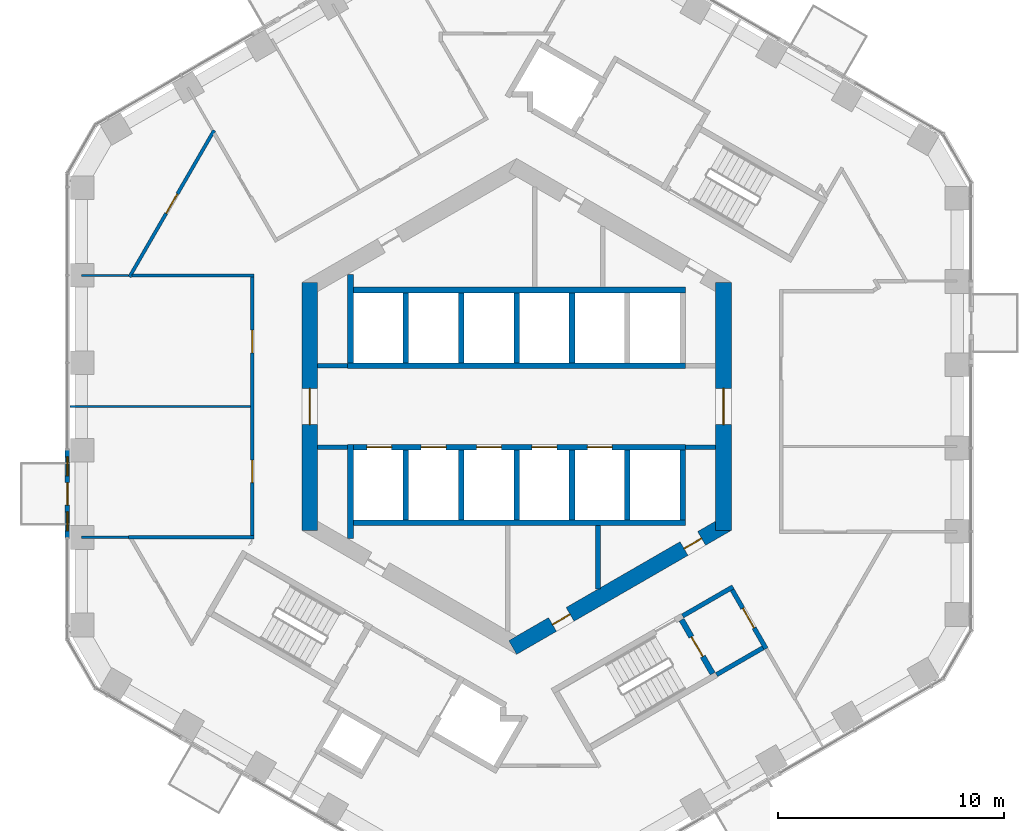
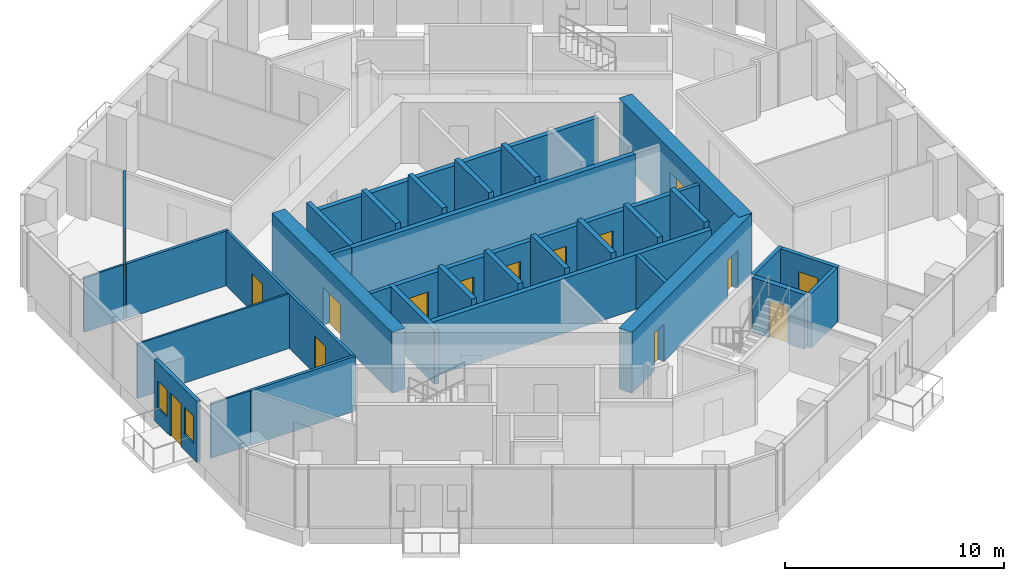
# One storey, part 14 of 20: 35 walls, 15 doors, 2 windows, 17 openings.
"""IFC4 building model written with IfcOpenShell, lengths in metres."""

from ifc_helpers import new_model, si_unit, direction, frame, frame_2d, origin, place, context, subcontext, project, spatial, rectangle, extrude, material, layer, layer_set, type_object, element, fill, save


model = new_model("IFC4")

# Units and contexts
model_context = context("Model", 3, precision=1e-05, world=origin(), true_north=direction((0.0, 1.0)))
body_context = subcontext(model_context, "Body", "Model", "MODEL_VIEW")
ifc_project = project(units=[si_unit("LENGTHUNIT", "METRE"), si_unit("AREAUNIT", "SQUARE_METRE"), si_unit("VOLUMEUNIT", "CUBIC_METRE"), si_unit("PLANEANGLEUNIT", "RADIAN"), si_unit("MASSUNIT", "GRAM", prefix="KILO")], contexts=[model_context])

# Site, building, storey
site_placement = place(None, origin())
site = spatial("IfcSite", under=ifc_project, at=site_placement, CompositionType="ELEMENT")
building_placement = place(site_placement, origin())
building = spatial("IfcBuilding", under=site, at=building_placement, Name="Ayvan Gate Tower", CompositionType="ELEMENT")
storey_placement = place(building_placement, frame((0.0, 0.0, 96.699951171875)))
storey = spatial("IfcBuildingStorey", under=building, at=storey_placement, Name="L25", CompositionType="ELEMENT", Elevation=96.699951171875)

# Wall, openings, door, windows
ifc_material_1 = material(Name="Insulated metal panel wall")
ifc_layer_1 = layer(ifc_material_1, 0.199951171875)
ifc_layer_set_1 = layer_set([ifc_layer_1], Name="Insulated metal panel wall")
wall_type_1 = type_object("IfcWallType", Name="Balcony door wall 200", PredefinedType="SOLIDWALL", material=ifc_layer_set_1)
wall_1_placement = place(storey_placement, frame((-19.873291015625, -1.934814453125, 0.0), z_axis=(0.0, 0.0, 1.0), x_axis=(0.0, -1.0, 0.0)))
wall_1 = element("IfcWall", 1, at=wall_1_placement, inside=storey, type_object=wall_type_1, Name="EW:L25:3:3", PredefinedType="SOLIDWALL", context=body_context, shape_type="SweptSolid", body=[
    extrude(rectangle(XDim=3.868896484375, YDim=0.199951171875, at=frame_2d((1.9345703125, 0.0))), origin(), (0.0, 0.0, 1.0), 3.400146484375),
])
opening_1_placement = place(wall_1_placement, frame((1.4345703125, 0.0, 0.0)))
opening_1 = element("IfcOpeningElement", 2, at=opening_1_placement, cuts=wall_1, Name="Opening L25-D93", PredefinedType="OPENING", context=body_context, shape_type="SweptSolid", body=[
    extrude(rectangle(XDim=1.0, YDim=2.39990234375, at=frame_2d((0.5, 1.199951171875))), frame((0.0, 0.10986328125, 0.0), z_axis=(0.0, -1.0, 0.0), x_axis=(1.0, 0.0, 0.0)), (0.0, 0.0, 1.0), 0.219970703125),
])
opening_2_placement = place(wall_1_placement, frame((0.292236328125, 0.0, 0.89990234375)))
opening_2 = element("IfcOpeningElement", 3, at=opening_2_placement, cuts=wall_1, Name="Opening W-B2", PredefinedType="OPENING", context=body_context, shape_type="SweptSolid", body=[
    extrude(rectangle(XDim=0.85009765625, YDim=1.5, at=frame_2d((0.425048828125, 0.75))), frame((0.0, 0.10986328125, 0.0), z_axis=(0.0, -1.0, 0.0), x_axis=(1.0, 0.0, 0.0)), (0.0, 0.0, 1.0), 0.219970703125),
])
opening_3_placement = place(wall_1_placement, frame((2.726806640625, 0.0, 0.89990234375)))
opening_3 = element("IfcOpeningElement", 4, at=opening_3_placement, cuts=wall_1, Name="Opening W-B2", PredefinedType="OPENING", context=body_context, shape_type="SweptSolid", body=[
    extrude(rectangle(XDim=0.85009765625, YDim=1.5, at=frame_2d((0.425048828125, 0.75))), frame((0.0, 0.10986328125, 0.0), z_axis=(0.0, -1.0, 0.0), x_axis=(1.0, 0.0, 0.0)), (0.0, 0.0, 1.0), 0.219970703125),
])
ifc_material_2 = material(Name="Bronze anodised aluminium and clear glass", Category="aluminium")
door_type_1 = type_object("IfcDoorType", Name="Balcony door D-B", OperationType="SINGLE_SWING_RIGHT", PredefinedType="DOOR", material=ifc_material_2)
door_1_placement = place(opening_1_placement, origin())
door_1 = element("IfcDoor", 5, at=door_1_placement, inside=storey, type_object=door_type_1, Name="Balcony door BAL-L25-3", OperationType="SINGLE_SWING_RIGHT", OverallHeight=2.39990234375, OverallWidth=1.0, PredefinedType="DOOR", context=body_context, shape_type="SweptSolid", body=[
    extrude(rectangle(XDim=1.0, YDim=2.39990234375, at=frame_2d((0.5, 1.199951171875))), frame((0.0, 0.02490234375, 0.0), z_axis=(0.0, -1.0, 0.0), x_axis=(1.0, 0.0, 0.0)), (0.0, 0.0, 1.0), 0.050048828125),
])
fill(opening_1, door_1)
window_type = type_object("IfcWindowType", Name="Balcony side light W-B Z2", PartitioningType="SINGLE_PANEL", PredefinedType="WINDOW", material=ifc_material_2)
window_1_placement = place(opening_2_placement, origin())
window_1 = element("IfcWindow", 6, at=window_1_placement, inside=storey, type_object=window_type, Name="Balcony side light BAL-L25-3.1", OverallHeight=1.5, OverallWidth=0.85009765625, PartitioningType="SINGLE_PANEL", PredefinedType="WINDOW", context=body_context, shape_type="SweptSolid", body=[
    extrude(rectangle(XDim=0.85009765625, YDim=1.5, at=frame_2d((0.425048828125, 0.75))), frame((0.0, 0.030029296875, 0.0), z_axis=(0.0, -1.0, 0.0), x_axis=(1.0, 0.0, 0.0)), (0.0, 0.0, 1.0), 0.06005859375),
])
fill(opening_2, window_1)
window_2_placement = place(opening_3_placement, origin())
window_2 = element("IfcWindow", 7, at=window_2_placement, inside=storey, type_object=window_type, Name="Balcony side light BAL-L25-3.2", OverallHeight=1.5, OverallWidth=0.85009765625, PartitioningType="SINGLE_PANEL", PredefinedType="WINDOW", context=body_context, shape_type="SweptSolid", body=[
    extrude(rectangle(XDim=0.85009765625, YDim=1.5, at=frame_2d((0.425048828125, 0.75))), frame((0.0, 0.030029296875, 0.0), z_axis=(0.0, -1.0, 0.0), x_axis=(1.0, 0.0, 0.0)), (0.0, 0.0, 1.0), 0.06005859375),
])
fill(opening_3, window_2)

# Wall, opening, door
ifc_material_3 = material(Name="Concrete C70/85", Category="concrete")
ifc_layer_2 = layer(ifc_material_3, 0.699951171875)
ifc_layer_set_2 = layer_set([ifc_layer_2], Name="Concrete C70/85")
wall_type_2 = type_object("IfcWallType", Name="Core wall 700 C70/85", PredefinedType="SHEAR", material=ifc_layer_set_2)
wall_2_placement = place(storey_placement, frame((9.14990234375, -5.48486328125, 0.0), z_axis=(0.0, 0.0, 1.0), x_axis=(0.0, 1.0, 0.0)))
wall_2 = element("IfcWall", 8, at=wall_2_placement, inside=storey, type_object=wall_type_2, Name="CORE-L25-0", PredefinedType="SHEAR", context=body_context, shape_type="SweptSolid", body=[
    extrude(rectangle(XDim=10.9697265625, YDim=0.699951171875, at=frame_2d((5.48486328125, 0.0))), origin(), (0.0, 0.0, 1.0), 3.400146484375),
])
opening_4_placement = place(wall_2_placement, frame((4.684814453125, 0.0, 0.0)))
opening_4 = element("IfcOpeningElement", 9, at=opening_4_placement, cuts=wall_2, Name="Opening L25-D102", PredefinedType="OPENING", context=body_context, shape_type="SweptSolid", body=[
    extrude(rectangle(XDim=1.60009765625, YDim=2.10009765625, at=frame_2d((0.800048828125, 1.050048828125))), frame((0.0, 0.35986328125, 0.0), z_axis=(0.0, -1.0, 0.0), x_axis=(1.0, 0.0, 0.0)), (0.0, 0.0, 1.0), 0.719970703125),
])
ifc_material_4 = material(Name="Timber door leaf", Category="wood")
door_type_2 = type_object("IfcDoorType", Name="DT-1600", OperationType="NOTDEFINED", PredefinedType="DOOR", material=ifc_material_4)
door_2_placement = place(opening_4_placement, origin())
door_2 = element("IfcDoor", 10, at=door_2_placement, inside=storey, type_object=door_type_2, Name="CD-L25-102", OperationType="SINGLE_SWING_LEFT", OverallHeight=2.10009765625, OverallWidth=1.60009765625, PredefinedType="DOOR", context=body_context, shape_type="SweptSolid", body=[
    extrude(rectangle(XDim=1.60009765625, YDim=2.10009765625, at=frame_2d((0.800048828125, 1.050048828125))), frame((0.0, 0.02490234375, 0.0), z_axis=(0.0, -1.0, 0.0), x_axis=(1.0, 0.0, 0.0)), (0.0, 0.0, 1.0), 0.050048828125),
])
fill(opening_4, door_2)

wall_3_placement = place(storey_placement, frame((-9.14990234375, 5.48486328125, 0.0), z_axis=(0.0, 0.0, 1.0), x_axis=(0.0, -1.0, 0.0)))
wall_3 = element("IfcWall", 11, at=wall_3_placement, inside=storey, type_object=wall_type_2, Name="CORE-L25-3", PredefinedType="SHEAR", context=body_context, shape_type="SweptSolid", body=[
    extrude(rectangle(XDim=10.9697265625, YDim=0.699951171875, at=frame_2d((5.48486328125, 0.0))), origin(), (0.0, 0.0, 1.0), 3.400146484375),
])
opening_5_placement = place(wall_3_placement, frame((4.684814453125, 0.0, 0.0)))
opening_5 = element("IfcOpeningElement", 12, at=opening_5_placement, cuts=wall_3, Name="Opening L25-D103", PredefinedType="OPENING", context=body_context, shape_type="SweptSolid", body=[
    extrude(rectangle(XDim=1.60009765625, YDim=2.10009765625, at=frame_2d((0.800048828125, 1.050048828125))), frame((0.0, 0.35986328125, 0.0), z_axis=(0.0, -1.0, 0.0), x_axis=(1.0, 0.0, 0.0)), (0.0, 0.0, 1.0), 0.719970703125),
])
door_3_placement = place(opening_5_placement, origin())
door_3 = element("IfcDoor", 13, at=door_3_placement, inside=storey, type_object=door_type_2, Name="CD-L25-103", OperationType="SINGLE_SWING_RIGHT", OverallHeight=2.10009765625, OverallWidth=1.60009765625, PredefinedType="DOOR", context=body_context, shape_type="SweptSolid", body=[
    extrude(rectangle(XDim=1.60009765625, YDim=2.10009765625, at=frame_2d((0.800048828125, 1.050048828125))), frame((0.0, 0.02490234375, 0.0), z_axis=(0.0, -1.0, 0.0), x_axis=(1.0, 0.0, 0.0)), (0.0, 0.0, 1.0), 0.050048828125),
])
fill(opening_5, door_3)

# Wall, openings, doors
wall_4_placement = place(storey_placement, frame((-0.175048828125, -10.66650390625, 0.0), z_axis=(0.0, 0.0, 1.0), x_axis=(0.866023993627, 0.500002442456, 0.0)))
wall_4 = element("IfcWall", 14, at=wall_4_placement, inside=storey, type_object=wall_type_2, Name="CORE-L25-5", PredefinedType="SHEAR", context=body_context, shape_type="SweptSolid", body=[
    extrude(rectangle(XDim=10.9697265625, YDim=0.699951171875, at=frame_2d((5.48486328125, 0.0))), origin(), (0.0, 0.0, 1.0), 3.400146484375),
])
opening_6_placement = place(wall_4_placement, frame((2.033203125, 0.0, 0.0)))
opening_6 = element("IfcOpeningElement", 15, at=opening_6_placement, cuts=wall_4, Name="Opening L25-D100", PredefinedType="OPENING", context=body_context, shape_type="SweptSolid", body=[
    extrude(rectangle(XDim=0.89990234375, YDim=2.10009765625, at=frame_2d((0.449951171875, 1.050048828125))), frame((0.0, 0.35986328125, 0.0), z_axis=(0.0, -1.0, 0.0), x_axis=(1.0, 0.0, 0.0)), (0.0, 0.0, 1.0), 0.719970703125),
])
opening_7_placement = place(wall_4_placement, frame((8.753662109375, 0.0, 0.0)))
opening_7 = element("IfcOpeningElement", 16, at=opening_7_placement, cuts=wall_4, Name="Opening L25-D101", PredefinedType="OPENING", context=body_context, shape_type="SweptSolid", body=[
    extrude(rectangle(XDim=0.89990234375, YDim=2.10009765625, at=frame_2d((0.449951171875, 1.050048828125))), frame((0.0, 0.35986328125, 0.0), z_axis=(0.0, -1.0, 0.0), x_axis=(1.0, 0.0, 0.0)), (0.0, 0.0, 1.0), 0.719970703125),
])
door_type_3 = type_object("IfcDoorType", Name="DT-900", OperationType="NOTDEFINED", PredefinedType="DOOR", material=ifc_material_4)
door_4_placement = place(opening_6_placement, origin())
door_4 = element("IfcDoor", 17, at=door_4_placement, inside=storey, type_object=door_type_3, Name="CD-L25-100", OperationType="SINGLE_SWING_LEFT", OverallHeight=2.10009765625, OverallWidth=0.89990234375, PredefinedType="DOOR", context=body_context, shape_type="SweptSolid", body=[
    extrude(rectangle(XDim=0.89990234375, YDim=2.10009765625, at=frame_2d((0.449951171875, 1.050048828125))), frame((0.0, 0.02490234375, 0.0), z_axis=(0.0, -1.0, 0.0), x_axis=(1.0, 0.0, 0.0)), (0.0, 0.0, 1.0), 0.050048828125),
])
fill(opening_6, door_4)
door_5_placement = place(opening_7_placement, origin())
door_5 = element("IfcDoor", 18, at=door_5_placement, inside=storey, type_object=door_type_3, Name="CD-L25-101", OperationType="SINGLE_SWING_RIGHT", OverallHeight=2.10009765625, OverallWidth=0.89990234375, PredefinedType="DOOR", context=body_context, shape_type="SweptSolid", body=[
    extrude(rectangle(XDim=0.89990234375, YDim=2.10009765625, at=frame_2d((0.449951171875, 1.050048828125))), frame((0.0, 0.02490234375, 0.0), z_axis=(0.0, -1.0, 0.0), x_axis=(1.0, 0.0, 0.0)), (0.0, 0.0, 1.0), 0.050048828125),
])
fill(opening_7, door_5)

# Wall
ifc_material_5 = material(Name="Plasterboard on steel stud", Category="steel")
ifc_layer_3 = layer(ifc_material_5, 0.14990234375)
ifc_layer_set_3 = layer_set([ifc_layer_3], Name="Plasterboard on steel stud")
wall_type_3 = type_object("IfcWallType", Name="WT-CORR-150", PredefinedType="PARTITIONING", material=ifc_layer_set_3)
wall_5_placement = place(storey_placement, frame((-17.167236328125, -5.79296875, 0.0), z_axis=(0.0, 0.0, 1.0), x_axis=(1.0, 0.0, 0.0)))
element("IfcWall", 19, at=wall_5_placement, inside=storey, type_object=wall_type_3, Name="IW-L25-001", PredefinedType="PARTITIONING", context=body_context, shape_type="SweptSolid", body=[
    extrude(rectangle(XDim=5.542236328125, YDim=0.14990234375, at=frame_2d((2.77099609375, 0.0))), origin(), (0.0, 0.0, 1.0), 3.050048828125),
])

# Wall, opening, door
wall_6_placement = place(storey_placement, frame((-17.1298828125, 5.72802734375, 0.0), z_axis=(0.0, 0.0, 1.0), x_axis=(0.500011056795, 0.866019020047, 0.0)))
wall_6 = element("IfcWall", 20, at=wall_6_placement, inside=storey, type_object=wall_type_3, Name="IW-L25-003", PredefinedType="PARTITIONING", context=body_context, shape_type="SweptSolid", body=[
    extrude(rectangle(XDim=7.493408203125, YDim=0.14990234375, at=frame_2d((3.74658203125, 0.0))), origin(), (0.0, 0.0, 1.0), 3.050048828125),
])
opening_8_placement = place(wall_6_placement, frame((3.24658203125, 0.0, 0.0)))
opening_8 = element("IfcOpeningElement", 21, at=opening_8_placement, cuts=wall_6, Name="Opening L25-D22", PredefinedType="OPENING", context=body_context, shape_type="SweptSolid", body=[
    extrude(rectangle(XDim=1.0, YDim=2.10009765625, at=frame_2d((0.5, 1.050048828125))), frame((0.0, 0.0849609375, 0.0), z_axis=(0.0, -1.0, 0.0), x_axis=(1.0, 0.0, 0.0)), (0.0, 0.0, 1.0), 0.169921875),
])
door_type_4 = type_object("IfcDoorType", Name="DT-1000", OperationType="NOTDEFINED", PredefinedType="DOOR", material=ifc_material_4)
door_6_placement = place(opening_8_placement, origin())
door_6 = element("IfcDoor", 22, at=door_6_placement, inside=storey, type_object=door_type_4, Name="ID-L25-022", OperationType="SINGLE_SWING_LEFT", OverallHeight=2.10009765625, OverallWidth=1.0, PredefinedType="DOOR", context=body_context, shape_type="SweptSolid", body=[
    extrude(rectangle(XDim=1.0, YDim=2.10009765625, at=frame_2d((0.5, 1.050048828125))), frame((0.0, 0.02490234375, 0.0), z_axis=(0.0, -1.0, 0.0), x_axis=(1.0, 0.0, 0.0)), (0.0, 0.0, 1.0), 0.050048828125),
])
fill(opening_8, door_6)

# Wall
wall_7_placement = place(storey_placement, frame((-11.625, 5.79296875, 0.0), z_axis=(0.0, 0.0, 1.0), x_axis=(-1.0, 0.0, 0.0)))
element("IfcWall", 23, at=wall_7_placement, inside=storey, type_object=wall_type_3, Name="IW-L25-011", PredefinedType="PARTITIONING", context=body_context, shape_type="SweptSolid", body=[
    extrude(rectangle(XDim=5.392333984375, YDim=0.14990234375, at=frame_2d((2.6962890625, 0.0))), origin(), (0.0, 0.0, 1.0), 3.050048828125),
])

# Wall, openings, doors
wall_8_placement = place(storey_placement, frame((-11.699951171875, -5.718017578125, 0.0), z_axis=(0.0, 0.0, 1.0), x_axis=(0.0, 1.0, 0.0)))
wall_8 = element("IfcWall", 24, at=wall_8_placement, inside=storey, type_object=wall_type_3, Name="IW-L25-012", PredefinedType="PARTITIONING", context=body_context, shape_type="SweptSolid", body=[
    extrude(rectangle(XDim=11.43603515625, YDim=0.14990234375, at=frame_2d((5.718017578125, 0.0))), origin(), (0.0, 0.0, 1.0), 3.050048828125),
])
opening_9_placement = place(wall_8_placement, frame((8.092041015625, 0.0, 0.0)))
opening_9 = element("IfcOpeningElement", 25, at=opening_9_placement, cuts=wall_8, Name="Opening L25-D23", PredefinedType="OPENING", context=body_context, shape_type="SweptSolid", body=[
    extrude(rectangle(XDim=1.0, YDim=2.10009765625, at=frame_2d((0.5, 1.050048828125))), frame((0.0, 0.0849609375, 0.0), z_axis=(0.0, -1.0, 0.0), x_axis=(1.0, 0.0, 0.0)), (0.0, 0.0, 1.0), 0.169921875),
])
opening_10_placement = place(wall_8_placement, frame((2.343994140625, 0.0, 0.0)))
opening_10 = element("IfcOpeningElement", 26, at=opening_10_placement, cuts=wall_8, Name="Opening L25-D24", PredefinedType="OPENING", context=body_context, shape_type="SweptSolid", body=[
    extrude(rectangle(XDim=1.0, YDim=2.10009765625, at=frame_2d((0.5, 1.050048828125))), frame((0.0, 0.0849609375, 0.0), z_axis=(0.0, -1.0, 0.0), x_axis=(1.0, 0.0, 0.0)), (0.0, 0.0, 1.0), 0.169921875),
])
door_7_placement = place(opening_9_placement, origin())
door_7 = element("IfcDoor", 27, at=door_7_placement, inside=storey, type_object=door_type_4, Name="ID-L25-023", OperationType="SINGLE_SWING_RIGHT", OverallHeight=2.10009765625, OverallWidth=1.0, PredefinedType="DOOR", context=body_context, shape_type="SweptSolid", body=[
    extrude(rectangle(XDim=1.0, YDim=2.10009765625, at=frame_2d((0.5, 1.050048828125))), frame((0.0, 0.02490234375, 0.0), z_axis=(0.0, -1.0, 0.0), x_axis=(1.0, 0.0, 0.0)), (0.0, 0.0, 1.0), 0.050048828125),
])
fill(opening_9, door_7)
door_8_placement = place(opening_10_placement, origin())
door_8 = element("IfcDoor", 28, at=door_8_placement, inside=storey, type_object=door_type_4, Name="ID-L25-024", OperationType="SINGLE_SWING_LEFT", OverallHeight=2.10009765625, OverallWidth=1.0, PredefinedType="DOOR", context=body_context, shape_type="SweptSolid", body=[
    extrude(rectangle(XDim=1.0, YDim=2.10009765625, at=frame_2d((0.5, 1.050048828125))), frame((0.0, 0.02490234375, 0.0), z_axis=(0.0, -1.0, 0.0), x_axis=(1.0, 0.0, 0.0)), (0.0, 0.0, 1.0), 0.050048828125),
])
fill(opening_10, door_8)

# Walls
ifc_layer_4 = layer(ifc_material_5, 0.10009765625)
ifc_layer_set_4 = layer_set([ifc_layer_4], Name="Plasterboard on steel stud")
wall_type_4 = type_object("IfcWallType", Name="WT-PART-100", PredefinedType="PARTITIONING", material=ifc_layer_set_4)
for number, where, z_axis, x_axis, name in (
    (29, (-17.167236328125, -5.79296875, 0.0), (0.0, 0.0, 1.0), (-1.0, 0.0, 0.0), "IW-L25-000"),
    (30, (-17.167236328125, 5.79296875, 0.0), (0.0, 0.0, 1.0), (-1.0, 0.0, 0.0), "IW-L25-002"),
):
    element("IfcWall", number, at=place(storey_placement, frame(where, z_axis=z_axis, x_axis=x_axis)), inside=storey, type_object=wall_type_4, Name=name, PredefinedType="PARTITIONING", context=body_context, shape_type="SweptSolid", body=[
        extrude(rectangle(XDim=2.0810546875, YDim=0.10009765625, at=frame_2d((1.04052734375, 0.0))), origin(), (0.0, 0.0, 1.0), 3.050048828125),
    ])
wall_9_placement = place(storey_placement, frame((-11.77490234375, 0.0, 0.0), z_axis=(0.0, 0.0, 1.0), x_axis=(-1.0, 0.0, 0.0)))
element("IfcWall", 31, at=wall_9_placement, inside=storey, type_object=wall_type_4, Name="IW-L25-010", PredefinedType="PARTITIONING", context=body_context, shape_type="SweptSolid", body=[
    extrude(rectangle(XDim=7.994384765625, YDim=0.10009765625, at=frame_2d((3.9970703125, 0.0))), origin(), (0.0, 0.0, 1.0), 3.050048828125),
])
ifc_layer_5 = layer(ifc_material_5, 0.199951171875)
ifc_layer_set_5 = layer_set([ifc_layer_5], Name="Plasterboard on steel stud")
wall_type_5 = type_object("IfcWallType", Name="WT-RATED-200", PredefinedType="PARTITIONING", material=ifc_layer_set_5)
for number, where, z_axis, x_axis, name in (
    (32, (-8.800048828125, 1.800048828125, 0.0), (0.0, 0.0, 1.0), (1.0, 0.0, 0.0), "IW-L25-015"),
    (33, (-7.474853515625, -1.800048828125, 0.0), (0.0, 0.0, 1.0), (-1.0, 0.0, 0.0), "IW-L25-024"),
):
    element("IfcWall", number, at=place(storey_placement, frame(where, z_axis=z_axis, x_axis=x_axis)), inside=storey, type_object=wall_type_5, Name=name, PredefinedType="PARTITIONING", context=body_context, shape_type="SweptSolid", body=[
        extrude(rectangle(XDim=1.3251953125, YDim=0.199951171875, at=frame_2d((0.66259765625, 0.0))), origin(), (0.0, 0.0, 1.0), 3.050048828125),
    ])
wall_10_placement = place(storey_placement, frame((3.60009765625, -5.27490234375, 0.0), z_axis=(0.0, 0.0, 1.0), x_axis=(0.0, -1.0, 0.0)))
element("IfcWall", 34, at=wall_10_placement, inside=storey, type_object=wall_type_5, Name="IW-L25-067", PredefinedType="PARTITIONING", context=body_context, shape_type="SweptSolid", body=[
    extrude(rectangle(XDim=2.80810546875, YDim=0.199951171875, at=frame_2d((1.404052734375, 0.0))), origin(), (0.0, 0.0, 1.0), 3.050048828125),
])
wall_11_placement = place(storey_placement, frame((7.343994140625, -9.27001953125, 0.0), z_axis=(0.0, 0.0, 1.0), x_axis=(0.866005588531, 0.500034319456, 0.0)))
element("IfcWall", 35, at=wall_11_placement, inside=storey, type_object=wall_type_5, Name="IW-L25-079", PredefinedType="PARTITIONING", context=body_context, shape_type="SweptSolid", body=[
    extrude(rectangle(XDim=2.574951171875, YDim=0.199951171875, at=frame_2d((1.28759765625, 0.0))), origin(), (0.0, 0.0, 1.0), 3.050048828125),
])
wall_12_placement = place(storey_placement, frame((8.800048828125, -1.800048828125, 0.0), z_axis=(0.0, 0.0, 1.0), x_axis=(-1.0, 0.0, 0.0)))
element("IfcWall", 36, at=wall_12_placement, inside=storey, type_object=wall_type_5, Name="IW-L25-086", PredefinedType="PARTITIONING", context=body_context, shape_type="SweptSolid", body=[
    extrude(rectangle(XDim=1.3251953125, YDim=0.199951171875, at=frame_2d((0.66259765625, 0.0))), origin(), (0.0, 0.0, 1.0), 3.050048828125),
])

# Wall, opening, door
wall_13_placement = place(storey_placement, frame((9.537353515625, -8.119140625, 0.0), z_axis=(0.0, 0.0, 1.0), x_axis=(0.499990139034, -0.866031096941, 0.0)))
wall_13 = element("IfcWall", 37, at=wall_13_placement, inside=storey, type_object=wall_type_5, Name="IW-L25-087", PredefinedType="PARTITIONING", context=body_context, shape_type="SweptSolid", body=[
    extrude(rectangle(XDim=3.0, YDim=0.199951171875, at=frame_2d((1.5, 0.0))), origin(), (0.0, 0.0, 1.0), 3.050048828125),
])
opening_11_placement = place(wall_13_placement, frame((0.93505859375, 0.0, 0.0)))
opening_11 = element("IfcOpeningElement", 38, at=opening_11_placement, cuts=wall_13, Name="Opening L25-D15", PredefinedType="OPENING", context=body_context, shape_type="SweptSolid", body=[
    extrude(rectangle(XDim=1.0, YDim=2.10009765625, at=frame_2d((0.5, 1.050048828125))), frame((0.0, 0.10986328125, 0.0), z_axis=(0.0, -1.0, 0.0), x_axis=(1.0, 0.0, 0.0)), (0.0, 0.0, 1.0), 0.219970703125),
])
door_9_placement = place(opening_11_placement, origin())
door_9 = element("IfcDoor", 39, at=door_9_placement, inside=storey, type_object=door_type_4, Name="ID-L25-015", OperationType="SINGLE_SWING_RIGHT", OverallHeight=2.10009765625, OverallWidth=1.0, PredefinedType="DOOR", context=body_context, shape_type="SweptSolid", body=[
    extrude(rectangle(XDim=1.0, YDim=2.10009765625, at=frame_2d((0.5, 1.050048828125))), frame((0.0, 0.02490234375, 0.0), z_axis=(0.0, -1.0, 0.0), x_axis=(1.0, 0.0, 0.0)), (0.0, 0.0, 1.0), 0.050048828125),
])
fill(opening_11, door_9)

# Walls
wall_14_placement = place(storey_placement, frame((10.900634765625, -10.6806640625, 0.0), z_axis=(0.0, 0.0, 1.0), x_axis=(-0.866007538022, -0.500030943131, 0.0)))
element("IfcWall", 40, at=wall_14_placement, inside=storey, type_object=wall_type_5, Name="IW-L25-088", PredefinedType="PARTITIONING", context=body_context, shape_type="SweptSolid", body=[
    extrude(rectangle(XDim=2.374755859375, YDim=0.199951171875, at=frame_2d((1.1875, 0.0))), origin(), (0.0, 0.0, 1.0), 3.050048828125),
])
ifc_material_6 = material(Name="Concrete C50/60", Category="concrete")
ifc_layer_6 = layer(ifc_material_6, 0.25)
ifc_layer_set_6 = layer_set([ifc_layer_6], Name="Concrete C50/60")
wall_type_6 = type_object("IfcWallType", Name="WT-RC-250", PredefinedType="SHEAR", material=ifc_layer_set_6)
wall_15_placement = place(storey_placement, frame((-7.47509765625, 1.800048828125, 0.0), z_axis=(0.0, 0.0, 1.0), x_axis=(1.0, 0.0, 0.0)))
element("IfcWall", 41, at=wall_15_placement, inside=storey, type_object=wall_type_6, Name="IW-L25-020", PredefinedType="SHEAR", context=body_context, shape_type="SweptSolid", body=[
    extrude(rectangle(XDim=14.9501953125, YDim=0.25, at=frame_2d((7.47509765625, 0.0))), origin(), (0.0, 0.0, 1.0), 3.050048828125),
])
wall_16_placement = place(storey_placement, frame((-7.35009765625, -5.845703125, 0.0), z_axis=(0.0, 0.0, 1.0), x_axis=(0.0, 1.0, 0.0)))
element("IfcWall", 42, at=wall_16_placement, inside=storey, type_object=wall_type_6, Name="IW-L25-021", PredefinedType="SHEAR", context=body_context, shape_type="SweptSolid", body=[
    extrude(rectangle(XDim=4.170654296875, YDim=0.25, at=frame_2d((2.08544921875, 0.0))), origin(), (0.0, 0.0, 1.0), 3.050048828125),
])
wall_17_placement = place(storey_placement, frame((-7.35009765625, 1.925048828125, 0.0), z_axis=(0.0, 0.0, 1.0), x_axis=(0.0, 1.0, 0.0)))
element("IfcWall", 43, at=wall_17_placement, inside=storey, type_object=wall_type_6, Name="IW-L25-022", PredefinedType="SHEAR", context=body_context, shape_type="SweptSolid", body=[
    extrude(rectangle(XDim=3.920654296875, YDim=0.25, at=frame_2d((1.96044921875, 0.0))), origin(), (0.0, 0.0, 1.0), 3.050048828125),
])
for number, where, z_axis, x_axis, name in (
    (44, (-7.22509765625, 5.14990234375, 0.0), (0.0, 0.0, 1.0), (1.0, 0.0, 0.0), "IW-L25-023"),
    (45, (-7.22509765625, -5.14990234375, 0.0), (0.0, 0.0, 1.0), (1.0, 0.0, 0.0), "IW-L25-031"),
):
    element("IfcWall", number, at=place(storey_placement, frame(where, z_axis=z_axis, x_axis=x_axis)), inside=storey, type_object=wall_type_6, Name=name, PredefinedType="SHEAR", context=body_context, shape_type="SweptSolid", body=[
        extrude(rectangle(XDim=14.7001953125, YDim=0.25, at=frame_2d((7.35009765625, 0.0))), origin(), (0.0, 0.0, 1.0), 3.050048828125),
    ])
for number, where, z_axis, x_axis, name in (
    (46, (-4.89990234375, -1.925048828125, 0.0), (0.0, 0.0, 1.0), (0.0, -1.0, 0.0), "IW-L25-032"),
    (47, (-4.89990234375, 5.02490234375, 0.0), (0.0, 0.0, 1.0), (0.0, -1.0, 0.0), "IW-L25-033"),
):
    element("IfcWall", number, at=place(storey_placement, frame(where, z_axis=z_axis, x_axis=x_axis)), inside=storey, type_object=wall_type_6, Name=name, PredefinedType="SHEAR", context=body_context, shape_type="SweptSolid", body=[
        extrude(rectangle(XDim=3.099853515625, YDim=0.25, at=frame_2d((1.5498046875, 0.0))), origin(), (0.0, 0.0, 1.0), 3.400146484375),
    ])

# Wall, openings, doors
wall_18_placement = place(storey_placement, frame((-7.22509765625, -1.800048828125, 0.0), z_axis=(0.0, 0.0, 1.0), x_axis=(1.0, 0.0, 0.0)))
wall_18 = element("IfcWall", 48, at=wall_18_placement, inside=storey, type_object=wall_type_6, Name="IW-L25-034", PredefinedType="SHEAR", context=body_context, shape_type="SweptSolid", body=[
    extrude(rectangle(XDim=14.7001953125, YDim=0.25, at=frame_2d((7.35009765625, 0.0))), origin(), (0.0, 0.0, 1.0), 3.050048828125),
])
opening_12_placement = place(wall_18_placement, frame((0.597412109375, 0.0, 0.0)))
opening_12 = element("IfcOpeningElement", 49, at=opening_12_placement, cuts=wall_18, Name="Opening L25-LD-LR1", PredefinedType="OPENING", context=body_context, shape_type="SweptSolid", body=[
    extrude(rectangle(XDim=1.10009765625, YDim=2.10009765625, at=frame_2d((0.550048828125, 1.050048828125))), frame((0.0, 0.135009765625, 0.0), z_axis=(0.0, -1.0, 0.0), x_axis=(1.0, 0.0, 0.0)), (0.0, 0.0, 1.0), 0.27001953125),
])
opening_13_placement = place(wall_18_placement, frame((3.0, 0.0, 0.0)))
opening_13 = element("IfcOpeningElement", 50, at=opening_13_placement, cuts=wall_18, Name="Opening L25-LD-LR2", PredefinedType="OPENING", context=body_context, shape_type="SweptSolid", body=[
    extrude(rectangle(XDim=1.10009765625, YDim=2.10009765625, at=frame_2d((0.550048828125, 1.050048828125))), frame((0.0, 0.135009765625, 0.0), z_axis=(0.0, -1.0, 0.0), x_axis=(1.0, 0.0, 0.0)), (0.0, 0.0, 1.0), 0.27001953125),
])
opening_14_placement = place(wall_18_placement, frame((5.4501953125, 0.0, 0.0)))
opening_14 = element("IfcOpeningElement", 51, at=opening_14_placement, cuts=wall_18, Name="Opening L25-LD-LR3", PredefinedType="OPENING", context=body_context, shape_type="SweptSolid", body=[
    extrude(rectangle(XDim=1.10009765625, YDim=2.10009765625, at=frame_2d((0.550048828125, 1.050048828125))), frame((0.0, 0.135009765625, 0.0), z_axis=(0.0, -1.0, 0.0), x_axis=(1.0, 0.0, 0.0)), (0.0, 0.0, 1.0), 0.27001953125),
])
opening_15_placement = place(wall_18_placement, frame((7.900146484375, 0.0, 0.0)))
opening_15 = element("IfcOpeningElement", 52, at=opening_15_placement, cuts=wall_18, Name="Opening L25-LD-LR4", PredefinedType="OPENING", context=body_context, shape_type="SweptSolid", body=[
    extrude(rectangle(XDim=1.10009765625, YDim=2.10009765625, at=frame_2d((0.550048828125, 1.050048828125))), frame((0.0, 0.135009765625, 0.0), z_axis=(0.0, -1.0, 0.0), x_axis=(1.0, 0.0, 0.0)), (0.0, 0.0, 1.0), 0.27001953125),
])
opening_16_placement = place(wall_18_placement, frame((10.35009765625, 0.0, 0.0)))
opening_16 = element("IfcOpeningElement", 53, at=opening_16_placement, cuts=wall_18, Name="Opening L25-LD-SV", PredefinedType="OPENING", context=body_context, shape_type="SweptSolid", body=[
    extrude(rectangle(XDim=1.10009765625, YDim=2.10009765625, at=frame_2d((0.550048828125, 1.050048828125))), frame((0.0, 0.135009765625, 0.0), z_axis=(0.0, -1.0, 0.0), x_axis=(1.0, 0.0, 0.0)), (0.0, 0.0, 1.0), 0.27001953125),
])
ifc_material_7 = material(Name="Stainless steel landing door", Category="steel")
door_type_5 = type_object("IfcDoorType", Name="DT-LANDING-1100", OperationType="SLIDING_TO_LEFT", PredefinedType="DOOR", material=ifc_material_7)
door_10_placement = place(opening_12_placement, origin())
door_10 = element("IfcDoor", 54, at=door_10_placement, inside=storey, type_object=door_type_5, Name="ID-L25-001", OperationType="SLIDING_TO_LEFT", OverallHeight=2.10009765625, OverallWidth=1.10009765625, PredefinedType="DOOR", context=body_context, shape_type="SweptSolid", body=[
    extrude(rectangle(XDim=1.10009765625, YDim=2.10009765625, at=frame_2d((0.550048828125, 1.050048828125))), frame((0.0, 0.02490234375, 0.0), z_axis=(0.0, -1.0, 0.0), x_axis=(1.0, 0.0, 0.0)), (0.0, 0.0, 1.0), 0.050048828125),
])
fill(opening_12, door_10)
door_11_placement = place(opening_13_placement, origin())
door_11 = element("IfcDoor", 55, at=door_11_placement, inside=storey, type_object=door_type_5, Name="ID-L25-002", OperationType="SLIDING_TO_LEFT", OverallHeight=2.10009765625, OverallWidth=1.10009765625, PredefinedType="DOOR", context=body_context, shape_type="SweptSolid", body=[
    extrude(rectangle(XDim=1.10009765625, YDim=2.10009765625, at=frame_2d((0.550048828125, 1.050048828125))), frame((0.0, 0.02490234375, 0.0), z_axis=(0.0, -1.0, 0.0), x_axis=(1.0, 0.0, 0.0)), (0.0, 0.0, 1.0), 0.050048828125),
])
fill(opening_13, door_11)
door_12_placement = place(opening_14_placement, origin())
door_12 = element("IfcDoor", 56, at=door_12_placement, inside=storey, type_object=door_type_5, Name="ID-L25-003", OperationType="SLIDING_TO_LEFT", OverallHeight=2.10009765625, OverallWidth=1.10009765625, PredefinedType="DOOR", context=body_context, shape_type="SweptSolid", body=[
    extrude(rectangle(XDim=1.10009765625, YDim=2.10009765625, at=frame_2d((0.550048828125, 1.050048828125))), frame((0.0, 0.02490234375, 0.0), z_axis=(0.0, -1.0, 0.0), x_axis=(1.0, 0.0, 0.0)), (0.0, 0.0, 1.0), 0.050048828125),
])
fill(opening_14, door_12)
door_13_placement = place(opening_15_placement, origin())
door_13 = element("IfcDoor", 57, at=door_13_placement, inside=storey, type_object=door_type_5, Name="ID-L25-004", OperationType="SLIDING_TO_LEFT", OverallHeight=2.10009765625, OverallWidth=1.10009765625, PredefinedType="DOOR", context=body_context, shape_type="SweptSolid", body=[
    extrude(rectangle(XDim=1.10009765625, YDim=2.10009765625, at=frame_2d((0.550048828125, 1.050048828125))), frame((0.0, 0.02490234375, 0.0), z_axis=(0.0, -1.0, 0.0), x_axis=(1.0, 0.0, 0.0)), (0.0, 0.0, 1.0), 0.050048828125),
])
fill(opening_15, door_13)
door_14_placement = place(opening_16_placement, origin())
door_14 = element("IfcDoor", 58, at=door_14_placement, inside=storey, type_object=door_type_5, Name="ID-L25-005", OperationType="SLIDING_TO_LEFT", OverallHeight=2.10009765625, OverallWidth=1.10009765625, PredefinedType="DOOR", context=body_context, shape_type="SweptSolid", body=[
    extrude(rectangle(XDim=1.10009765625, YDim=2.10009765625, at=frame_2d((0.550048828125, 1.050048828125))), frame((0.0, 0.02490234375, 0.0), z_axis=(0.0, -1.0, 0.0), x_axis=(1.0, 0.0, 0.0)), (0.0, 0.0, 1.0), 0.050048828125),
])
fill(opening_16, door_14)

# Walls
for number, where, z_axis, x_axis, name in (
    (59, (-2.449951171875, -1.925048828125, 0.0), (0.0, 0.0, 1.0), (0.0, -1.0, 0.0), "IW-L25-043"),
    (60, (-2.449951171875, 5.02490234375, 0.0), (0.0, 0.0, 1.0), (0.0, -1.0, 0.0), "IW-L25-044"),
    (61, (0.0, -1.925048828125, 0.0), (0.0, 0.0, 1.0), (0.0, -1.0, 0.0), "IW-L25-052"),
    (62, (0.0, 5.02490234375, 0.0), (0.0, 0.0, 1.0), (0.0, -1.0, 0.0), "IW-L25-053"),
    (63, (2.449951171875, -1.925048828125, 0.0), (0.0, 0.0, 1.0), (0.0, -1.0, 0.0), "IW-L25-060"),
    (64, (2.449951171875, 5.02490234375, 0.0), (0.0, 0.0, 1.0), (0.0, -1.0, 0.0), "IW-L25-061"),
    (65, (4.89990234375, -1.925048828125, 0.0), (0.0, 0.0, 1.0), (0.0, -1.0, 0.0), "IW-L25-072"),
):
    element("IfcWall", number, at=place(storey_placement, frame(where, z_axis=z_axis, x_axis=x_axis)), inside=storey, type_object=wall_type_6, Name=name, PredefinedType="SHEAR", context=body_context, shape_type="SweptSolid", body=[
        extrude(rectangle(XDim=3.099853515625, YDim=0.25, at=frame_2d((1.5498046875, 0.0))), origin(), (0.0, 0.0, 1.0), 3.400146484375),
    ])

# Wall, opening, door
wall_19_placement = place(storey_placement, frame((7.298095703125, -9.44091796875, 0.0), z_axis=(0.0, 0.0, 1.0), x_axis=(0.500034990121, -0.866005201286, 0.0)))
wall_19 = element("IfcWall", 66, at=wall_19_placement, inside=storey, type_object=wall_type_6, Name="IW-L25-078", PredefinedType="SHEAR", context=body_context, shape_type="SweptSolid", body=[
    extrude(rectangle(XDim=2.749755859375, YDim=0.25, at=frame_2d((1.375, 0.0))), origin(), (0.0, 0.0, 1.0), 3.050048828125),
])
opening_17_placement = place(wall_19_placement, frame((0.875, 0.0, 0.0)))
opening_17 = element("IfcOpeningElement", 67, at=opening_17_placement, cuts=wall_19, Name="Opening L25-D16", PredefinedType="OPENING", context=body_context, shape_type="SweptSolid", body=[
    extrude(rectangle(XDim=1.0, YDim=2.10009765625, at=frame_2d((0.5, 1.050048828125))), frame((0.0, 0.135009765625, 0.0), z_axis=(0.0, -1.0, 0.0), x_axis=(1.0, 0.0, 0.0)), (0.0, 0.0, 1.0), 0.27001953125),
])
door_15_placement = place(opening_17_placement, origin())
door_15 = element("IfcDoor", 68, at=door_15_placement, inside=storey, type_object=door_type_4, Name="ID-L25-016", OperationType="SINGLE_SWING_LEFT", OverallHeight=2.10009765625, OverallWidth=1.0, PredefinedType="DOOR", context=body_context, shape_type="SweptSolid", body=[
    extrude(rectangle(XDim=1.0, YDim=2.10009765625, at=frame_2d((0.5, 1.050048828125))), frame((0.0, 0.02490234375, 0.0), z_axis=(0.0, -1.0, 0.0), x_axis=(1.0, 0.0, 0.0)), (0.0, 0.0, 1.0), 0.050048828125),
])
fill(opening_17, door_15)

# Wall
wall_20_placement = place(storey_placement, frame((7.35009765625, -1.925048828125, 0.0), z_axis=(0.0, 0.0, 1.0), x_axis=(0.0, -1.0, 0.0)))
element("IfcWall", 69, at=wall_20_placement, inside=storey, type_object=wall_type_6, Name="IW-L25-081", PredefinedType="SHEAR", context=body_context, shape_type="SweptSolid", body=[
    extrude(rectangle(XDim=3.099853515625, YDim=0.25, at=frame_2d((1.5498046875, 0.0))), origin(), (0.0, 0.0, 1.0), 3.400146484375),
])

save(model, "model.ifc")
